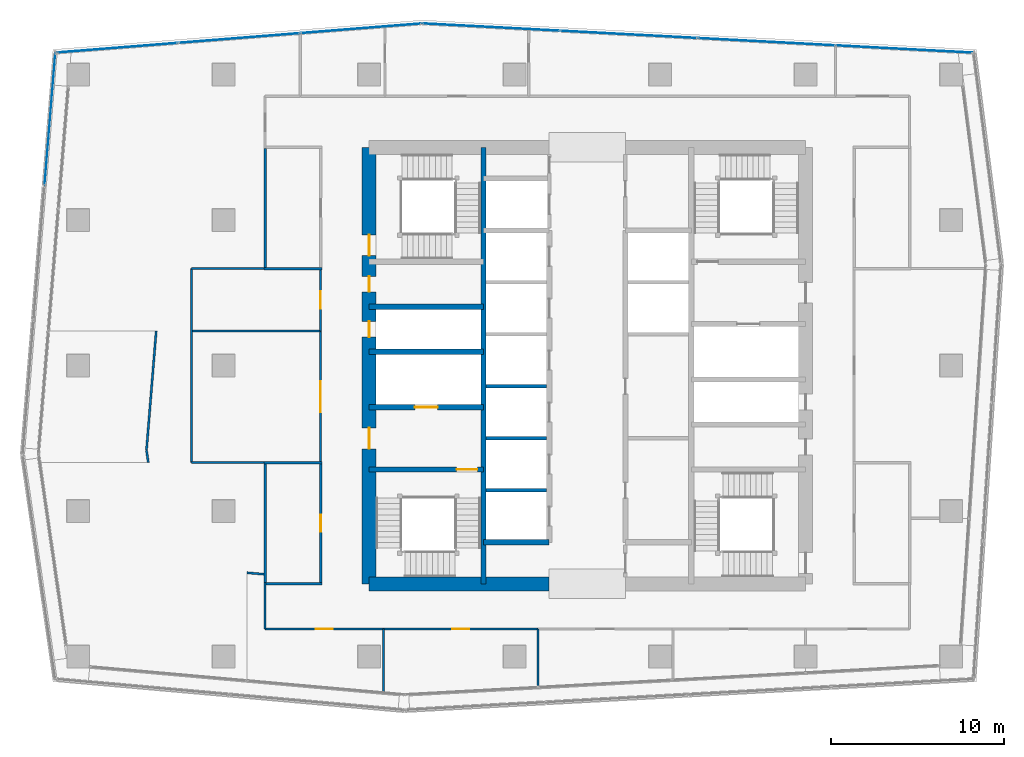
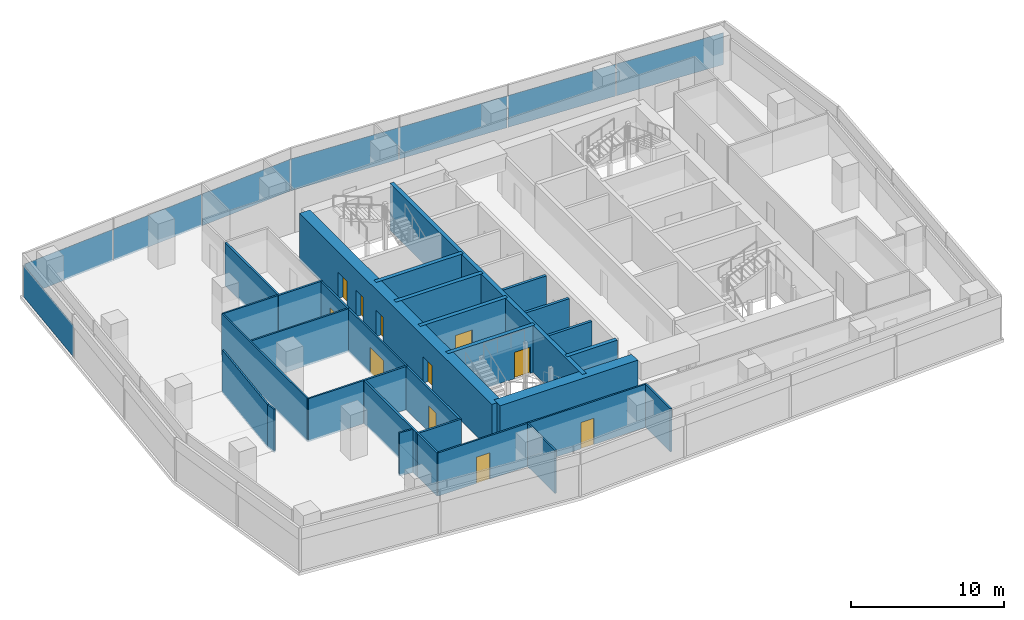
# One storey, part 22 of 30: 31 walls, 11 doors, 8 plates, 11 openings, 3 elements without a shape of their own.
"""IFC4 building model written with IfcOpenShell, lengths in metres."""

import ifcopenshell
import ifcopenshell.guid

model = None  # the IFC model being written
_history = None  # IfcOwnerHistory: only IFC2X3 demands one
_inside = {}  # id of a spatial element -> (the spatial element, [elements in it])
_under = {}  # id of a project, library or spatial element -> (it, [spatial elements below it])
_declared = {}  # id of a project -> (the project, [libraries it declares])
_typed = {}  # id of a type object -> (the type object, [elements of that type])
_made_of = {}  # id of a material, layer set ... -> (it, [elements and type objects made of it])


def new_model(schema):
    """Start an empty IFC model of exactly this schema.

    Asked for "IFC4X3", IfcOpenShell would pick the latest addendum, in which some entities
    have other attributes; the version numbers below select the first issue.
    IFC2X3 requires an IfcOwnerHistory on every rooted entity: one is made here for all.
    """
    global model, _history
    if schema == "IFC4X3":
        model = ifcopenshell.file(schema_version=(4, 3, 0, 0))
    else:
        model = ifcopenshell.file(schema=schema)
    _inside.clear()
    _under.clear()
    _declared.clear()
    _typed.clear()
    _made_of.clear()
    _history = None
    if model.schema == "IFC2X3":
        org = make("IfcOrganization", Name="unknown")
        user = make(
            "IfcPersonAndOrganization",
            ThePerson=make("IfcPerson", FamilyName="unknown"),
            TheOrganization=org,
        )
        app = make(
            "IfcApplication",
            ApplicationDeveloper=org,
            Version="unknown",
            ApplicationFullName="unknown",
            ApplicationIdentifier="unknown",
        )
        _history = make(
            "IfcOwnerHistory",
            OwningUser=user,
            OwningApplication=app,
            ChangeAction="ADDED",
            CreationDate=0,
        )
    return model


def make(cls, **values):
    """One entity of the class cls with the attributes given. An attribute that is None is left unset."""
    return model.create_entity(
        cls, **{name: value for name, value in values.items() if value is not None}
    )


def rooted(cls, **values):
    """An entity with a GlobalId (a new one), such as an element, a storey or a relation."""
    return make(cls, GlobalId=ifcopenshell.guid.new(), OwnerHistory=_history, **values)


def si_unit(unit_type, name, prefix=None):
    """IfcSIUnit, for example si_unit("LENGTHUNIT", "METRE", prefix="MILLI")."""
    return make("IfcSIUnit", UnitType=unit_type, Prefix=prefix, Name=name)


def assignment(units):
    """IfcUnitAssignment: the units of a project."""
    return None if units is None else make("IfcUnitAssignment", Units=units)


def point(xyz):
    """IfcCartesianPoint."""
    return None if xyz is None else make("IfcCartesianPoint", Coordinates=xyz)


def direction(xyz):
    """IfcDirection."""
    return None if xyz is None else make("IfcDirection", DirectionRatios=xyz)


def frame(location, z_axis=None, x_axis=None):
    """IfcAxis2Placement3D, a coordinate frame: its origin and axes. An axis left out is left unset."""
    return make(
        "IfcAxis2Placement3D",
        Location=point(location),
        Axis=direction(z_axis),
        RefDirection=direction(x_axis),
    )


def frame_2d(location, x_axis=None):
    """IfcAxis2Placement2D, a coordinate frame in the plane: its origin and x axis."""
    return make(
        "IfcAxis2Placement2D", Location=point(location), RefDirection=direction(x_axis)
    )


def origin():
    """The frame at (0, 0, 0) with its axes left unset."""
    return frame((0.0, 0.0, 0.0))


def origin_2d():
    """The frame at (0, 0) in the plane with its x axis left unset."""
    return frame_2d((0.0, 0.0))


def place(relative_to, where):
    """IfcLocalPlacement: puts the frame where relative to a parent placement (None: the world)."""
    return make(
        "IfcLocalPlacement", PlacementRelTo=relative_to, RelativePlacement=where
    )


def context(
    kind, dimensions, precision=None, world=None, true_north=None, identifier=None
):
    """IfcGeometricRepresentationContext, for example the 3D "Model" context."""
    return make(
        "IfcGeometricRepresentationContext",
        ContextIdentifier=identifier,
        ContextType=kind,
        CoordinateSpaceDimension=dimensions,
        Precision=precision,
        WorldCoordinateSystem=world,
        TrueNorth=true_north,
    )


def subcontext(parent, identifier, kind, view, scale=None):
    """IfcGeometricRepresentationSubContext, for example "Body" below "Model"."""
    return make(
        "IfcGeometricRepresentationSubContext",
        ContextIdentifier=identifier,
        ContextType=kind,
        ParentContext=parent,
        TargetScale=scale,
        TargetView=view,
    )


def project(units=None, contexts=None):
    """IfcProject with its units and contexts."""
    return rooted(
        "IfcProject",
        Name="project",
        RepresentationContexts=contexts,
        UnitsInContext=assignment(units),
    )


def spatial(cls, under=None, at=None, **own):
    """A site, building, storey or space (cls), placed at a placement, below another one or the project."""
    s = rooted(cls, ObjectPlacement=at, **own)
    if under is not None:
        _under.setdefault(under.id(), (under, []))[1].append(s)
    return s


def profile(cls, at=None, kind="AREA", **sizes):
    """A parametric profile (cls). Its sizes go by their IFC names, for example OverallWidth=200.0."""
    return make(cls, ProfileType=kind, Position=at, **sizes)


def rectangle(**sizes):
    """IfcRectangleProfileDef."""
    return profile("IfcRectangleProfileDef", **sizes)


def extrude(swept, where, along, depth):
    """IfcExtrudedAreaSolid: the profile swept, set in the frame where, extruded along a direction by depth."""
    return make(
        "IfcExtrudedAreaSolid",
        SweptArea=swept,
        Position=where,
        ExtrudedDirection=direction(along),
        Depth=depth,
    )


def shape(context_of_items, identifier, shape_type, items):
    """IfcShapeRepresentation: the items that make up one representation, for example the "Body"."""
    return make(
        "IfcShapeRepresentation",
        ContextOfItems=context_of_items,
        RepresentationIdentifier=identifier,
        RepresentationType=shape_type,
        Items=items,
    )


def material(Name=None, Category=None):
    """IfcMaterial."""
    return make("IfcMaterial", Name=Name, Category=Category)


def layer(
    of_material, thickness, ventilated=None, Name=None, Category=None, Priority=None
):
    """IfcMaterialLayer: one layer of a wall or slab, of a material (None: an air gap)."""
    return make(
        "IfcMaterialLayer",
        Material=of_material,
        LayerThickness=thickness,
        IsVentilated=ventilated,
        Name=Name,
        Category=Category,
        Priority=Priority,
    )


def layer_set(layers, Name=None):
    """IfcMaterialLayerSet."""
    return make("IfcMaterialLayerSet", MaterialLayers=layers, LayerSetName=Name)


def made_of(thing, what):
    """Note that an element or type object is made of a material, layer set ...; save() writes the relation."""
    if what is not None:
        _made_of.setdefault(what.id(), (what, []))[1].append(thing)
    return thing


def type_object(cls, material=None, **own):
    """A type object (cls), such as IfcWallType, which elements share."""
    return made_of(rooted(cls, **own), material)


def element(
    cls,
    number,
    at=None,
    inside=None,
    cuts=None,
    type_object=None,
    material=None,
    context=None,
    identifier="Body",
    shape_type=None,
    held_by="IfcProductDefinitionShape",
    body=None,
    shapes=None,
    **own,
):
    """One element of the class cls, such as IfcWall. Its Tag is "e" and its number.

    at: its placement. inside: the storey or other place that contains it. cuts: it is an
    opening in that element (IfcRelVoidsElement). A single representation is given by context,
    identifier, shape_type and body (its items); several are given by shapes. held_by: the class
    of the entity that holds the representations. save() writes the other relations.
    """
    e = rooted(cls, Tag="e%d" % number, ObjectPlacement=at, **own)
    if body is not None:
        shapes = [shape(context, identifier, shape_type, body)]
    if shapes is not None:
        e.Representation = make(held_by, Representations=shapes)
    if inside is not None:
        _inside.setdefault(inside.id(), (inside, []))[1].append(e)
    if cuts is not None:
        rooted(
            "IfcRelVoidsElement", RelatingBuildingElement=cuts, RelatedOpeningElement=e
        )
    if type_object is not None:
        _typed.setdefault(type_object.id(), (type_object, []))[1].append(e)
    return made_of(e, material)


def fill(opening, filler):
    """IfcRelFillsElement: the door or window that sits in an opening."""
    return rooted(
        "IfcRelFillsElement",
        RelatingOpeningElement=opening,
        RelatedBuildingElement=filler,
    )


def aggregate(whole, parts):
    """IfcRelAggregates: a whole, such as a stair, and the parts it consists of."""
    return rooted("IfcRelAggregates", RelatingObject=whole, RelatedObjects=parts)


def save(model, path):
    """Write the relations noted so far, then the file.

    IfcRelAggregates (storeys below a building ...), IfcRelContainedInSpatialStructure (elements
    in a storey), IfcRelDefinesByType, IfcRelAssociatesMaterial and IfcRelDeclares: one each for
    every whole, place, type object, material and project.
    """
    for whole, parts in _under.values():
        aggregate(whole, parts)
    for where, things in _inside.values():
        rooted(
            "IfcRelContainedInSpatialStructure",
            RelatedElements=things,
            RelatingStructure=where,
        )
    for kind, things in _typed.values():
        rooted("IfcRelDefinesByType", RelatedObjects=things, RelatingType=kind)
    for what, things in _made_of.values():
        rooted("IfcRelAssociatesMaterial", RelatedObjects=things, RelatingMaterial=what)
    for by, libraries in _declared.values():
        rooted("IfcRelDeclares", RelatingContext=by, RelatedDefinitions=libraries)
    model.write(path)


model = new_model("IFC4")

# Units and contexts
model_context = context("Model", 3, precision=1e-05, world=origin(), true_north=direction((0.0, 1.0)))
body_context = subcontext(model_context, "Body", "Model", "MODEL_VIEW")
ifc_project = project(units=[si_unit("LENGTHUNIT", "METRE"), si_unit("AREAUNIT", "SQUARE_METRE"), si_unit("VOLUMEUNIT", "CUBIC_METRE"), si_unit("PLANEANGLEUNIT", "RADIAN"), si_unit("MASSUNIT", "GRAM", prefix="KILO")], contexts=[model_context])

# Site, building, storey
site_placement = place(None, origin())
site = spatial("IfcSite", under=ifc_project, at=site_placement, CompositionType="ELEMENT")
building_placement = place(site_placement, origin())
building = spatial("IfcBuilding", under=site, at=building_placement, Name="Rekha Terrace Tower", CompositionType="ELEMENT")
storey_placement = place(building_placement, frame((0.0, 0.0, 287.60009765625)))
storey = spatial("IfcBuildingStorey", under=building, at=storey_placement, Name="L73", CompositionType="ELEMENT", Elevation=287.60009765625)

# Curtain wall, plate
ifc_material_1 = material(Name="Aluminium framing", Category="aluminium")
curtain_wall_type_1 = type_object("IfcCurtainWallType", Name="CW2 double skin outer glazing", PredefinedType="USERDEFINED", material=ifc_material_1)
curtain_wall_1_placement = place(storey_placement, origin())
curtain_wall_1 = element("IfcCurtainWall", 1, at=curtain_wall_1_placement, inside=storey, type_object=curtain_wall_type_1, Name="CW2 double skin outer glazing", ObjectType="DOUBLE SKIN OUTER GLAZING", PredefinedType="USERDEFINED")
ifc_material_2 = material(Name="Toughened single glazing 12", Category="glass")
ifc_layer_1 = layer(ifc_material_2, 0.011962890625)
ifc_layer_set_1 = layer_set([ifc_layer_1], Name="Toughened single glazing 12")
plate_type_1 = type_object("IfcPlateType", Name="CW2 jumbo vision panel, toughened single glazing 12", PredefinedType="CURTAIN_PANEL", material=ifc_layer_set_1)
plate_1_placement = place(storey_placement, frame((6.7822265625, 47.813720703125, 0.0), z_axis=(0.0, 0.0, 1.0), x_axis=(-0.081067906816, -0.996708580521, 0.0)))
plate_1 = element("IfcPlate", 2, at=plate_1_placement, type_object=plate_type_1, Name="CW2 panel 1.1", PredefinedType="CURTAIN_PANEL", context=body_context, shape_type="SweptSolid", body=[
    extrude(rectangle(XDim=7.640869140625, YDim=0.011962890625, at=origin_2d()), origin(), (0.0, 0.0, 1.0), 2.550048828125),
])
aggregate(curtain_wall_1, [plate_1])

# Curtain wall, plates
curtain_wall_type_2 = type_object("IfcCurtainWallType", Name="CW3 north unitised glazing", PredefinedType="USERDEFINED", material=ifc_material_1)
curtain_wall_2_placement = place(storey_placement, origin())
curtain_wall_2 = element("IfcCurtainWall", 3, at=curtain_wall_2_placement, inside=storey, type_object=curtain_wall_type_2, Name="CW3 unitised curtain wall", ObjectType="UNITISED CURTAIN WALL", PredefinedType="USERDEFINED")
ifc_material_3 = material(Name="Double-glazed unit 28", Category="glass")
ifc_layer_2 = layer(ifc_material_3, 0.028076171875)
ifc_layer_set_2 = layer_set([ifc_layer_2], Name="Double-glazed unit 28")
plate_type_2 = type_object("IfcPlateType", Name="CW3 jumbo vision panel, double-glazed unit 28", PredefinedType="CURTAIN_PANEL", material=ifc_layer_set_2)
plate_2_placement = place(storey_placement, frame((56.080322265625, 51.871337890625, 0.0), z_axis=(0.0, 0.0, 1.0), x_axis=(-0.998590089005, 0.053083275524, 0.0)))
plate_2 = element("IfcPlate", 4, at=plate_2_placement, type_object=plate_type_2, Name="CW3 panel 1.1", PredefinedType="CURTAIN_PANEL", context=body_context, shape_type="SweptSolid", body=[
    extrude(rectangle(XDim=7.856201171875, YDim=0.028076171875, at=origin_2d()), origin(), (0.0, 0.0, 1.0), 2.550048828125),
])
plate_3_placement = place(storey_placement, frame((48.14794921875, 52.29296875, 0.0), z_axis=(0.0, 0.0, 1.0), x_axis=(-0.998590089005, 0.053083275524, 0.0)))
plate_3 = element("IfcPlate", 5, at=plate_3_placement, type_object=plate_type_2, Name="CW3 panel 2.1", PredefinedType="CURTAIN_PANEL", context=body_context, shape_type="SweptSolid", body=[
    extrude(rectangle(XDim=7.891357421875, YDim=0.028076171875, at=origin_2d()), origin(), (0.0, 0.0, 1.0), 2.550048828125),
])
plate_4_placement = place(storey_placement, frame((40.19775390625, 52.715576171875, 0.0), z_axis=(0.0, 0.0, 1.0), x_axis=(-0.998590089005, 0.053083275524, 0.0)))
plate_4 = element("IfcPlate", 6, at=plate_4_placement, type_object=plate_type_2, Name="CW3 panel 3.1", PredefinedType="CURTAIN_PANEL", context=body_context, shape_type="SweptSolid", body=[
    extrude(rectangle(XDim=7.891357421875, YDim=0.028076171875, at=origin_2d()), origin(), (0.0, 0.0, 1.0), 2.550048828125),
])
plate_5_placement = place(storey_placement, frame((32.230224609375, 53.13916015625, 0.0), z_axis=(0.0, 0.0, 1.0), x_axis=(-0.998590089005, 0.053083275524, 0.0)))
plate_5 = element("IfcPlate", 7, at=plate_5_placement, type_object=plate_type_2, Name="CW3 panel 4.1", PredefinedType="CURTAIN_PANEL", context=body_context, shape_type="SweptSolid", body=[
    extrude(rectangle(XDim=7.92626953125, YDim=0.028076171875, at=origin_2d()), origin(), (0.0, 0.0, 1.0), 2.550048828125),
])
aggregate(curtain_wall_2, [plate_2, plate_3, plate_4, plate_5])

curtain_wall_3_placement = place(storey_placement, origin())
curtain_wall_3 = element("IfcCurtainWall", 8, at=curtain_wall_3_placement, inside=storey, type_object=curtain_wall_type_2, Name="CW3 unitised curtain wall", ObjectType="UNITISED CURTAIN WALL", PredefinedType="USERDEFINED")
plate_6_placement = place(storey_placement, frame((24.732421875, 53.0673828125, 0.0), z_axis=(0.0, 0.0, 1.0), x_axis=(-0.996836058026, -0.07948505154, 0.0)))
plate_6 = element("IfcPlate", 9, at=plate_6_placement, type_object=plate_type_2, Name="CW3 panel 1.1", PredefinedType="CURTAIN_PANEL", context=body_context, shape_type="SweptSolid", body=[
    extrude(rectangle(XDim=6.963134765625, YDim=0.028076171875, at=origin_2d()), origin(), (0.0, 0.0, 1.0), 2.550048828125),
])
plate_7_placement = place(storey_placement, frame((17.7041015625, 52.5068359375, 0.0), z_axis=(0.0, 0.0, 1.0), x_axis=(-0.996836058026, -0.07948505154, 0.0)))
plate_7 = element("IfcPlate", 10, at=plate_7_placement, type_object=plate_type_2, Name="CW3 panel 2.1", PredefinedType="CURTAIN_PANEL", context=body_context, shape_type="SweptSolid", body=[
    extrude(rectangle(XDim=6.998046875, YDim=0.028076171875, at=origin_2d()), origin(), (0.0, 0.0, 1.0), 2.550048828125),
])
plate_8_placement = place(storey_placement, frame((10.67578125, 51.946533203125, 0.0), z_axis=(0.0, 0.0, 1.0), x_axis=(-0.996836058026, -0.07948505154, 0.0)))
plate_8 = element("IfcPlate", 11, at=plate_8_placement, type_object=plate_type_2, Name="CW3 panel 3.1", PredefinedType="CURTAIN_PANEL", context=body_context, shape_type="SweptSolid", body=[
    extrude(rectangle(XDim=6.963134765625, YDim=0.028076171875, at=origin_2d()), origin(), (0.0, 0.0, 1.0), 2.550048828125),
])
aggregate(curtain_wall_3, [plate_6, plate_7, plate_8])

# Walls
ifc_material_4 = material(Name="Concrete M60", Category="concrete")
ifc_layer_3 = layer(ifc_material_4, 0.300048828125)
ifc_layer_set_3 = layer_set([ifc_layer_3], Name="Concrete M60")
wall_type_1 = type_object("IfcWallType", Name="CI5 300 core internal shear wall", PredefinedType="SHEAR", material=ifc_layer_set_3)
wall_1_placement = place(storey_placement, frame((31.800048828125, 21.0, 0.0), z_axis=(0.0, 0.0, 1.0), x_axis=(0.0, 1.0, 0.0)))
element("IfcWall", 12, at=wall_1_placement, inside=storey, type_object=wall_type_1, Name="Core wall X318 L73", PredefinedType="SHEAR", context=body_context, shape_type="SweptSolid", body=[
    extrude(rectangle(XDim=25.199951171875, YDim=0.300048828125, at=frame_2d((12.60009765625, 0.0))), origin(), (0.0, 0.0, 1.0), 3.75),
])
wall_2_placement = place(storey_placement, frame((31.800048828125, 23.39990234375, 0.0), z_axis=(0.0, 0.0, 1.0), x_axis=(1.0, 0.0, 0.0)))
element("IfcWall", 13, at=wall_2_placement, inside=storey, type_object=wall_type_1, Name="Core wall Y234W L73", PredefinedType="SHEAR", context=body_context, shape_type="SweptSolid", body=[
    extrude(rectangle(XDim=3.800048828125, YDim=0.300048828125, at=frame_2d((1.89990234375, 0.0))), origin(), (0.0, 0.0, 1.0), 3.75),
])

# Wall, opening, door
wall_3_placement = place(storey_placement, frame((25.199951171875, 27.60009765625, 0.0), z_axis=(0.0, 0.0, 1.0), x_axis=(1.0, 0.0, 0.0)))
wall_3 = element("IfcWall", 14, at=wall_3_placement, inside=storey, type_object=wall_type_1, Name="Core wall Y276W L73", PredefinedType="SHEAR", context=body_context, shape_type="SweptSolid", body=[
    extrude(rectangle(XDim=6.60009765625, YDim=0.300048828125, at=frame_2d((3.300048828125, 0.0))), origin(), (0.0, 0.0, 1.0), 3.75),
])
opening_1_placement = place(wall_3_placement, frame((5.050048828125, 0.0, 0.0)))
opening_1 = element("IfcOpeningElement", 15, at=opening_1_placement, cuts=wall_3, Name="Opening D1", PredefinedType="OPENING", context=body_context, shape_type="SweptSolid", body=[
    extrude(rectangle(XDim=1.199951171875, YDim=2.10009765625, at=frame_2d((0.60009765625, 1.050048828125))), frame((0.0, 0.159912109375, 0.0), z_axis=(0.0, -1.0, 0.0), x_axis=(1.0, 0.0, 0.0)), (0.0, 0.0, 1.0), 0.320068359375),
])
ifc_material_5 = material(Name="Steel fire door", Category="steel")
door_type_1 = type_object("IfcDoorType", Name="D1 1200x2100 stair fire door", OperationType="SINGLE_SWING_RIGHT", PredefinedType="DOOR", material=ifc_material_5)
door_1_placement = place(opening_1_placement, origin())
door_1 = element("IfcDoor", 16, at=door_1_placement, inside=storey, type_object=door_type_1, Name="Stair ST1 door L73", OperationType="SINGLE_SWING_RIGHT", OverallHeight=2.10009765625, OverallWidth=1.199951171875, PredefinedType="DOOR", context=body_context, shape_type="SweptSolid", body=[
    extrude(rectangle(XDim=1.199951171875, YDim=2.10009765625, at=frame_2d((0.60009765625, 1.050048828125))), frame((0.0, 0.02490234375, 0.0), z_axis=(0.0, -1.0, 0.0), x_axis=(1.0, 0.0, 0.0)), (0.0, 0.0, 1.0), 0.050048828125),
])
fill(opening_1, door_1)

wall_4_placement = place(storey_placement, frame((25.199951171875, 31.199951171875, 0.0), z_axis=(0.0, 0.0, 1.0), x_axis=(1.0, 0.0, 0.0)))
wall_4 = element("IfcWall", 17, at=wall_4_placement, inside=storey, type_object=wall_type_1, Name="Core wall Y312W L73", PredefinedType="SHEAR", context=body_context, shape_type="SweptSolid", body=[
    extrude(rectangle(XDim=6.60009765625, YDim=0.300048828125, at=frame_2d((3.300048828125, 0.0))), origin(), (0.0, 0.0, 1.0), 3.75),
])
opening_2_placement = place(wall_4_placement, frame((2.64990234375, 0.0, 0.0)))
opening_2 = element("IfcOpeningElement", 18, at=opening_2_placement, cuts=wall_4, Name="Opening LD2", PredefinedType="OPENING", context=body_context, shape_type="SweptSolid", body=[
    extrude(rectangle(XDim=1.300048828125, YDim=2.10009765625, at=frame_2d((0.64990234375, 1.050048828125))), frame((0.0, 0.159912109375, 0.0), z_axis=(0.0, -1.0, 0.0), x_axis=(1.0, 0.0, 0.0)), (0.0, 0.0, 1.0), 0.320068359375),
])
ifc_material_6 = material(Name="Stainless steel sliding landing door", Category="steel")
door_type_2 = type_object("IfcDoorType", Name="LD2 1300x2100 fire lift landing door", OperationType="SLIDING_TO_LEFT", PredefinedType="USERDEFINED", material=ifc_material_6)
door_2_placement = place(opening_2_placement, origin())
door_2 = element("IfcDoor", 19, at=door_2_placement, inside=storey, type_object=door_type_2, Name="Lift FL1 landing door L73", ObjectType="LIFT LANDING DOOR", OperationType="SLIDING_TO_LEFT", OverallHeight=2.10009765625, OverallWidth=1.300048828125, PredefinedType="USERDEFINED", context=body_context, shape_type="SweptSolid", body=[
    extrude(rectangle(XDim=1.300048828125, YDim=2.10009765625, at=frame_2d((0.64990234375, 1.050048828125))), frame((0.0, 0.02490234375, 0.0), z_axis=(0.0, -1.0, 0.0), x_axis=(1.0, 0.0, 0.0)), (0.0, 0.0, 1.0), 0.050048828125),
])
fill(opening_2, door_2)

# Walls
for number, where, z_axis, x_axis, name in (
    (20, (25.199951171875, 34.39990234375, 0.0), (0.0, 0.0, 1.0), (1.0, 0.0, 0.0), "Core wall Y344W L73"),
    (21, (25.199951171875, 37.0, 0.0), (0.0, 0.0, 1.0), (1.0, 0.0, 0.0), "Core wall Y370W L73"),
):
    element("IfcWall", number, at=place(storey_placement, frame(where, z_axis=z_axis, x_axis=x_axis)), inside=storey, type_object=wall_type_1, Name=name, PredefinedType="SHEAR", context=body_context, shape_type="SweptSolid", body=[
        extrude(rectangle(XDim=6.60009765625, YDim=0.300048828125, at=frame_2d((3.300048828125, 0.0))), origin(), (0.0, 0.0, 1.0), 3.75),
    ])
ifc_layer_4 = layer(ifc_material_4, 0.800048828125)
ifc_layer_set_4 = layer_set([ifc_layer_4], Name="Concrete M60")
wall_type_2 = type_object("IfcWallType", Name="SW5 800 core outer shear wall", PredefinedType="SHEAR", material=ifc_layer_set_4)
wall_5_placement = place(storey_placement, frame((25.199951171875, 21.0, 0.0), z_axis=(0.0, 0.0, 1.0), x_axis=(1.0, 0.0, 0.0)))
element("IfcWall", 22, at=wall_5_placement, inside=storey, type_object=wall_type_2, Name="Core wall S1 L73", PredefinedType="SHEAR", context=body_context, shape_type="SweptSolid", body=[
    extrude(rectangle(XDim=10.400146484375, YDim=0.800048828125, at=frame_2d((5.2001953125, 0.0))), origin(), (0.0, 0.0, 1.0), 3.75),
])

# Wall, openings, doors
wall_6_placement = place(storey_placement, frame((25.199951171875, 21.0, 0.0), z_axis=(0.0, 0.0, 1.0), x_axis=(0.0, 1.0, 0.0)))
wall_6 = element("IfcWall", 23, at=wall_6_placement, inside=storey, type_object=wall_type_2, Name="Core wall W L73", PredefinedType="SHEAR", context=body_context, shape_type="SweptSolid", body=[
    extrude(rectangle(XDim=25.199951171875, YDim=0.800048828125, at=frame_2d((12.60009765625, 0.0))), origin(), (0.0, 0.0, 1.0), 3.75),
])
opening_3_placement = place(wall_6_placement, frame((7.800048828125, 0.0, 0.0)))
opening_3 = element("IfcOpeningElement", 24, at=opening_3_placement, cuts=wall_6, Name="Opening D2", PredefinedType="OPENING", context=body_context, shape_type="SweptSolid", body=[
    extrude(rectangle(XDim=1.199951171875, YDim=2.10009765625, at=frame_2d((0.60009765625, 1.050048828125))), frame((0.0, 0.409912109375, 0.0), z_axis=(0.0, -1.0, 0.0), x_axis=(1.0, 0.0, 0.0)), (0.0, 0.0, 1.0), 0.820068359375),
])
opening_4_placement = place(wall_6_placement, frame((14.25, 0.0, 0.0)))
opening_4 = element("IfcOpeningElement", 25, at=opening_4_placement, cuts=wall_6, Name="Opening D5", PredefinedType="OPENING", context=body_context, shape_type="SweptSolid", body=[
    extrude(rectangle(XDim=0.89990234375, YDim=2.10009765625, at=frame_2d((0.449951171875, 1.050048828125))), frame((0.0, 0.409912109375, 0.0), z_axis=(0.0, -1.0, 0.0), x_axis=(1.0, 0.0, 0.0)), (0.0, 0.0, 1.0), 0.820068359375),
])
opening_5_placement = place(wall_6_placement, frame((16.85009765625, 0.0, 0.0)))
opening_5 = element("IfcOpeningElement", 26, at=opening_5_placement, cuts=wall_6, Name="Opening D5", PredefinedType="OPENING", context=body_context, shape_type="SweptSolid", body=[
    extrude(rectangle(XDim=0.89990234375, YDim=2.10009765625, at=frame_2d((0.449951171875, 1.050048828125))), frame((0.0, 0.409912109375, 0.0), z_axis=(0.0, -1.0, 0.0), x_axis=(1.0, 0.0, 0.0)), (0.0, 0.0, 1.0), 0.820068359375),
])
opening_6_placement = place(wall_6_placement, frame((18.949951171875, 0.0, 0.0)))
opening_6 = element("IfcOpeningElement", 27, at=opening_6_placement, cuts=wall_6, Name="Opening D1", PredefinedType="OPENING", context=body_context, shape_type="SweptSolid", body=[
    extrude(rectangle(XDim=1.199951171875, YDim=2.10009765625, at=frame_2d((0.60009765625, 1.050048828125))), frame((0.0, 0.409912109375, 0.0), z_axis=(0.0, -1.0, 0.0), x_axis=(1.0, 0.0, 0.0)), (0.0, 0.0, 1.0), 0.820068359375),
])
door_3_placement = place(opening_6_placement, origin())
door_3 = element("IfcDoor", 28, at=door_3_placement, inside=storey, type_object=door_type_1, Name="Stair ST4 door L73", OperationType="SINGLE_SWING_RIGHT", OverallHeight=2.10009765625, OverallWidth=1.199951171875, PredefinedType="DOOR", context=body_context, shape_type="SweptSolid", body=[
    extrude(rectangle(XDim=1.199951171875, YDim=2.10009765625, at=frame_2d((0.60009765625, 1.050048828125))), frame((0.0, 0.02490234375, 0.0), z_axis=(0.0, -1.0, 0.0), x_axis=(1.0, 0.0, 0.0)), (0.0, 0.0, 1.0), 0.050048828125),
])
fill(opening_6, door_3)
door_type_3 = type_object("IfcDoorType", Name="D2 1200x2100 firefighting lobby door", OperationType="SINGLE_SWING_LEFT", PredefinedType="DOOR", material=ifc_material_5)
door_4_placement = place(opening_3_placement, origin())
door_4 = element("IfcDoor", 29, at=door_4_placement, inside=storey, type_object=door_type_3, Name="Door flb1 L73", OperationType="SINGLE_SWING_LEFT", OverallHeight=2.10009765625, OverallWidth=1.199951171875, PredefinedType="DOOR", context=body_context, shape_type="SweptSolid", body=[
    extrude(rectangle(XDim=1.199951171875, YDim=2.10009765625, at=frame_2d((0.60009765625, 1.050048828125))), frame((0.0, 0.02490234375, 0.0), z_axis=(0.0, -1.0, 0.0), x_axis=(1.0, 0.0, 0.0)), (0.0, 0.0, 1.0), 0.050048828125),
])
fill(opening_3, door_4)
door_type_4 = type_object("IfcDoorType", Name="D5 900x2100 riser access door", OperationType="SINGLE_SWING_LEFT", PredefinedType="DOOR", material=ifc_material_5)
door_5_placement = place(opening_4_placement, origin())
door_5 = element("IfcDoor", 30, at=door_5_placement, inside=storey, type_object=door_type_4, Name="Door rs1 L73", OperationType="SINGLE_SWING_LEFT", OverallHeight=2.10009765625, OverallWidth=0.89990234375, PredefinedType="DOOR", context=body_context, shape_type="SweptSolid", body=[
    extrude(rectangle(XDim=0.89990234375, YDim=2.10009765625, at=frame_2d((0.449951171875, 1.050048828125))), frame((0.0, 0.02490234375, 0.0), z_axis=(0.0, -1.0, 0.0), x_axis=(1.0, 0.0, 0.0)), (0.0, 0.0, 1.0), 0.050048828125),
])
fill(opening_4, door_5)
door_6_placement = place(opening_5_placement, origin())
door_6 = element("IfcDoor", 31, at=door_6_placement, inside=storey, type_object=door_type_4, Name="Door elw L73", OperationType="SINGLE_SWING_LEFT", OverallHeight=2.10009765625, OverallWidth=0.89990234375, PredefinedType="DOOR", context=body_context, shape_type="SweptSolid", body=[
    extrude(rectangle(XDim=0.89990234375, YDim=2.10009765625, at=frame_2d((0.449951171875, 1.050048828125))), frame((0.0, 0.02490234375, 0.0), z_axis=(0.0, -1.0, 0.0), x_axis=(1.0, 0.0, 0.0)), (0.0, 0.0, 1.0), 0.050048828125),
])
fill(opening_5, door_6)

# Walls
ifc_material_7 = material(Name="Concrete block masonry, 1 hour", Category="masonry")
ifc_layer_5 = layer(ifc_material_7, 0.14990234375)
ifc_layer_set_5 = layer_set([ifc_layer_5], Name="Concrete block masonry, 1 hour")
wall_type_3 = type_object("IfcWallType", Name="WP2 150 tenancy partition", PredefinedType="PARTITIONING", material=ifc_layer_set_5)
wall_7_placement = place(storey_placement, frame((19.125, 39.199951171875, 0.0), z_axis=(0.0, 0.0, 1.0), x_axis=(1.0, 0.0, 0.0)))
element("IfcWall", 32, at=wall_7_placement, inside=storey, type_object=wall_type_3, Name="Women's WC wall L73", PredefinedType="PARTITIONING", context=body_context, shape_type="SweptSolid", body=[
    extrude(rectangle(XDim=3.35009765625, YDim=0.14990234375, at=frame_2d((1.675048828125, 0.0))), origin(), (0.0, 0.0, 1.0), 3.449951171875),
])
wall_8_placement = place(storey_placement, frame((19.199951171875, 39.27490234375, 0.0), z_axis=(0.0, 0.0, 1.0), x_axis=(0.0, 1.0, 0.0)))
element("IfcWall", 33, at=wall_8_placement, inside=storey, type_object=wall_type_3, Name="Women's WC wall L73", PredefinedType="PARTITIONING", context=body_context, shape_type="SweptSolid", body=[
    extrude(rectangle(XDim=6.85009765625, YDim=0.14990234375, at=frame_2d((3.425048828125, 0.0))), origin(), (0.0, 0.0, 1.0), 3.449951171875),
])
for number, where, z_axis, x_axis, name in (
    (34, (19.125, 21.0, 0.0), (0.0, 0.0, 1.0), (1.0, 0.0, 0.0), "Men's WC wall L73"),
    (35, (19.125, 28.0, 0.0), (0.0, 0.0, 1.0), (1.0, 0.0, 0.0), "Men's WC wall L73"),
):
    element("IfcWall", number, at=place(storey_placement, frame(where, z_axis=z_axis, x_axis=x_axis)), inside=storey, type_object=wall_type_3, Name=name, PredefinedType="PARTITIONING", context=body_context, shape_type="SweptSolid", body=[
        extrude(rectangle(XDim=3.35009765625, YDim=0.14990234375, at=frame_2d((1.675048828125, 0.0))), origin(), (0.0, 0.0, 1.0), 3.449951171875),
    ])
wall_9_placement = place(storey_placement, frame((19.199951171875, 21.074951171875, 0.0), z_axis=(0.0, 0.0, 1.0), x_axis=(0.0, 1.0, 0.0)))
element("IfcWall", 36, at=wall_9_placement, inside=storey, type_object=wall_type_3, Name="Men's WC wall L73", PredefinedType="PARTITIONING", context=body_context, shape_type="SweptSolid", body=[
    extrude(rectangle(XDim=6.85009765625, YDim=0.14990234375, at=frame_2d((3.425048828125, 0.0))), origin(), (0.0, 0.0, 1.0), 3.449951171875),
])

# Wall, opening, door
wall_10_placement = place(storey_placement, frame((22.39990234375, 21.074951171875, 0.0), z_axis=(0.0, 0.0, 1.0), x_axis=(0.0, 1.0, 0.0)))
wall_10 = element("IfcWall", 37, at=wall_10_placement, inside=storey, type_object=wall_type_3, Name="Men's WC wall L73", PredefinedType="PARTITIONING", context=body_context, shape_type="SweptSolid", body=[
    extrude(rectangle(XDim=6.85009765625, YDim=0.14990234375, at=frame_2d((3.425048828125, 0.0))), origin(), (0.0, 0.0, 1.0), 3.449951171875),
])
opening_7_placement = place(wall_10_placement, frame((2.925048828125, 0.0, 0.0)))
opening_7 = element("IfcOpeningElement", 38, at=opening_7_placement, cuts=wall_10, Name="Opening D3", PredefinedType="OPENING", context=body_context, shape_type="SweptSolid", body=[
    extrude(rectangle(XDim=1.0, YDim=2.10009765625, at=frame_2d((0.5, 1.050048828125))), frame((0.0, 0.0849609375, 0.0), z_axis=(0.0, -1.0, 0.0), x_axis=(1.0, 0.0, 0.0)), (0.0, 0.0, 1.0), 0.169921875),
])
ifc_material_8 = material(Name="Laminated timber fire door", Category="wood")
door_type_5 = type_object("IfcDoorType", Name="D3 1000x2100 WC door", OperationType="SINGLE_SWING_LEFT", PredefinedType="DOOR", material=ifc_material_8)
door_7_placement = place(opening_7_placement, origin())
door_7 = element("IfcDoor", 39, at=door_7_placement, inside=storey, type_object=door_type_5, Name="Door men's wc L73", OperationType="SINGLE_SWING_LEFT", OverallHeight=2.10009765625, OverallWidth=1.0, PredefinedType="DOOR", context=body_context, shape_type="SweptSolid", body=[
    extrude(rectangle(XDim=1.0, YDim=2.10009765625, at=frame_2d((0.5, 1.050048828125))), frame((0.0, 0.02490234375, 0.0), z_axis=(0.0, -1.0, 0.0), x_axis=(1.0, 0.0, 0.0)), (0.0, 0.0, 1.0), 0.050048828125),
])
fill(opening_7, door_7)

# Walls
ifc_material_9 = material(Name="Two layers of fire-rated gypsum board each side on steel studs, acoustic quilt, 1 hour", Category="steel")
ifc_layer_6 = layer(ifc_material_9, 0.125)
ifc_layer_set_6 = layer_set([ifc_layer_6], Name="Two layers of fire-rated gypsum board each side on steel studs, acoustic quilt, 1 hour")
wall_type_4 = type_object("IfcWallType", Name="WP3 125 office partition", PredefinedType="PARTITIONING", material=ifc_layer_set_6)
wall_11_placement = place(storey_placement, frame((34.947998046875, 15.114013671875, 0.0), z_axis=(0.0, 0.0, 1.0), x_axis=(0.0, 1.0, 0.0)))
element("IfcWall", 40, at=wall_11_placement, inside=storey, type_object=wall_type_4, Name="Partition L73-06", PredefinedType="PARTITIONING", context=body_context, shape_type="SweptSolid", body=[
    extrude(rectangle(XDim=3.285888671875, YDim=0.125, at=frame_2d((1.64306640625, 0.0))), origin(), (0.0, 0.0, 1.0), 3.449951171875),
])
wall_12_placement = place(storey_placement, frame((14.949951171875, 39.199951171875, 0.0), z_axis=(0.0, 0.0, 1.0), x_axis=(0.0, -1.0, 0.0)))
element("IfcWall", 41, at=wall_12_placement, inside=storey, type_object=wall_type_4, Name="Partition L73-09", PredefinedType="PARTITIONING", context=body_context, shape_type="SweptSolid", body=[
    extrude(rectangle(XDim=11.199951171875, YDim=0.125, at=frame_2d((5.60009765625, 0.0))), origin(), (0.0, 0.0, 1.0), 3.449951171875),
])
wall_13_placement = place(storey_placement, frame((14.949951171875, 28.0, 0.0), z_axis=(0.0, 0.0, 1.0), x_axis=(1.0, 0.0, 0.0)))
element("IfcWall", 42, at=wall_13_placement, inside=storey, type_object=wall_type_4, Name="Partition L73-09", PredefinedType="PARTITIONING", context=body_context, shape_type="SweptSolid", body=[
    extrude(rectangle(XDim=4.174072265625, YDim=0.125, at=frame_2d((2.0869140625, 0.0))), origin(), (0.0, 0.0, 1.0), 3.449951171875),
])
wall_14_placement = place(storey_placement, frame((19.125, 21.556884765625, 0.0), z_axis=(0.0, 0.0, 1.0), x_axis=(-0.996029022323, 0.089029133943, 0.0)))
element("IfcWall", 43, at=wall_14_placement, inside=storey, type_object=wall_type_4, Name="Partition L73-09", PredefinedType="PARTITIONING", context=body_context, shape_type="SweptSolid", body=[
    extrude(rectangle(XDim=0.97900390625, YDim=0.125, at=frame_2d((0.489501953125, 0.0))), origin(), (0.0, 0.0, 1.0), 3.449951171875),
])
wall_15_placement = place(storey_placement, frame((12.455078125, 28.010986328125, 0.0), z_axis=(0.0, 0.0, 1.0), x_axis=(-0.144195365637, 0.989549239062, 0.0)))
element("IfcWall", 44, at=wall_15_placement, inside=storey, type_object=wall_type_4, Name="Partition L73-09", PredefinedType="PARTITIONING", context=body_context, shape_type="SweptSolid", body=[
    extrude(rectangle(XDim=0.714599609375, YDim=0.125, at=frame_2d((0.357421875, 0.0))), origin(), (0.0, 0.0, 1.0), 3.449951171875),
])
wall_16_placement = place(storey_placement, frame((12.35205078125, 28.718017578125, 0.0), z_axis=(0.0, 0.0, 1.0), x_axis=(0.081064051258, 0.996708894108, 0.0)))
element("IfcWall", 45, at=wall_16_placement, inside=storey, type_object=wall_type_4, Name="Partition L73-09", PredefinedType="PARTITIONING", context=body_context, shape_type="SweptSolid", body=[
    extrude(rectangle(XDim=6.893798828125, YDim=0.125, at=frame_2d((3.44677734375, 0.0))), origin(), (0.0, 0.0, 1.0), 3.449951171875),
])
wall_17_placement = place(storey_placement, frame((19.1240234375, 39.199951171875, 0.0), z_axis=(0.0, 0.0, 1.0), x_axis=(-1.0, 0.0, 0.0)))
element("IfcWall", 46, at=wall_17_placement, inside=storey, type_object=wall_type_4, Name="Partition L73-09", PredefinedType="PARTITIONING", context=body_context, shape_type="SweptSolid", body=[
    extrude(rectangle(XDim=4.174072265625, YDim=0.125, at=frame_2d((2.0869140625, 0.0))), origin(), (0.0, 0.0, 1.0), 3.449951171875),
])

# Wall, opening, door
wall_18_placement = place(storey_placement, frame((19.199951171875, 18.39990234375, 0.0), z_axis=(0.0, 0.0, 1.0), x_axis=(1.0, 0.0, 0.0)))
wall_18 = element("IfcWall", 47, at=wall_18_placement, inside=storey, type_object=wall_type_4, Name="Partition L73-13", PredefinedType="PARTITIONING", context=body_context, shape_type="SweptSolid", body=[
    extrude(rectangle(XDim=6.825927734375, YDim=0.125, at=frame_2d((3.4130859375, 0.0))), origin(), (0.0, 0.0, 1.0), 3.449951171875),
])
opening_8_placement = place(wall_18_placement, frame((2.9130859375, 0.0, 0.0)))
opening_8 = element("IfcOpeningElement", 48, at=opening_8_placement, cuts=wall_18, Name="Opening D9", PredefinedType="OPENING", context=body_context, shape_type="SweptSolid", body=[
    extrude(rectangle(XDim=1.0, YDim=2.10009765625, at=frame_2d((0.5, 1.050048828125))), frame((0.0, 0.072509765625, 0.0), z_axis=(0.0, -1.0, 0.0), x_axis=(1.0, 0.0, 0.0)), (0.0, 0.0, 1.0), 0.14501953125),
])
ifc_material_10 = material(Name="Timber fire door", Category="wood")
door_type_6 = type_object("IfcDoorType", Name="D9 1000x2100 office door", OperationType="SINGLE_SWING_LEFT", PredefinedType="DOOR", material=ifc_material_10)
door_8_placement = place(opening_8_placement, origin())
door_8 = element("IfcDoor", 49, at=door_8_placement, inside=storey, type_object=door_type_6, Name="Door meeting room L73", OperationType="SINGLE_SWING_LEFT", OverallHeight=2.10009765625, OverallWidth=1.0, PredefinedType="DOOR", context=body_context, shape_type="SweptSolid", body=[
    extrude(rectangle(XDim=1.0, YDim=2.10009765625, at=frame_2d((0.5, 1.050048828125))), frame((0.0, 0.02490234375, 0.0), z_axis=(0.0, -1.0, 0.0), x_axis=(1.0, 0.0, 0.0)), (0.0, 0.0, 1.0), 0.050048828125),
])
fill(opening_8, door_8)

# Walls
wall_19_placement = place(storey_placement, frame((26.02587890625, 18.39990234375, 0.0), z_axis=(0.0, 0.0, 1.0), x_axis=(0.0, -1.0, 0.0)))
element("IfcWall", 50, at=wall_19_placement, inside=storey, type_object=wall_type_4, Name="Partition L73-13", PredefinedType="PARTITIONING", context=body_context, shape_type="SweptSolid", body=[
    extrude(rectangle(XDim=3.630859375, YDim=0.125, at=frame_2d((1.8154296875, 0.0))), origin(), (0.0, 0.0, 1.0), 3.449951171875),
])
wall_20_placement = place(storey_placement, frame((19.199951171875, 21.074951171875, 0.0), z_axis=(0.0, 0.0, 1.0), x_axis=(0.0, -1.0, 0.0)))
element("IfcWall", 51, at=wall_20_placement, inside=storey, type_object=wall_type_4, Name="Partition L73-13", PredefinedType="PARTITIONING", context=body_context, shape_type="SweptSolid", body=[
    extrude(rectangle(XDim=2.675048828125, YDim=0.125, at=frame_2d((1.33740234375, 0.0))), origin(), (0.0, 0.0, 1.0), 3.449951171875),
])

# Wall, opening, door
wall_21_placement = place(storey_placement, frame((26.027099609375, 18.39990234375, 0.0), z_axis=(0.0, 0.0, 1.0), x_axis=(1.0, 0.0, 0.0)))
wall_21 = element("IfcWall", 52, at=wall_21_placement, inside=storey, type_object=wall_type_4, Name="Partition L73-14", PredefinedType="PARTITIONING", context=body_context, shape_type="SweptSolid", body=[
    extrude(rectangle(XDim=8.919921875, YDim=0.125, at=frame_2d((4.4599609375, 0.0))), origin(), (0.0, 0.0, 1.0), 3.449951171875),
])
opening_9_placement = place(wall_21_placement, frame((3.9599609375, 0.0, 0.0)))
opening_9 = element("IfcOpeningElement", 53, at=opening_9_placement, cuts=wall_21, Name="Opening D9", PredefinedType="OPENING", context=body_context, shape_type="SweptSolid", body=[
    extrude(rectangle(XDim=1.0, YDim=2.10009765625, at=frame_2d((0.5, 1.050048828125))), frame((0.0, 0.072509765625, 0.0), z_axis=(0.0, -1.0, 0.0), x_axis=(1.0, 0.0, 0.0)), (0.0, 0.0, 1.0), 0.14501953125),
])
door_9_placement = place(opening_9_placement, origin())
door_9 = element("IfcDoor", 54, at=door_9_placement, inside=storey, type_object=door_type_6, Name="Door reference library L73", OperationType="SINGLE_SWING_LEFT", OverallHeight=2.10009765625, OverallWidth=1.0, PredefinedType="DOOR", context=body_context, shape_type="SweptSolid", body=[
    extrude(rectangle(XDim=1.0, YDim=2.10009765625, at=frame_2d((0.5, 1.050048828125))), frame((0.0, 0.02490234375, 0.0), z_axis=(0.0, -1.0, 0.0), x_axis=(1.0, 0.0, 0.0)), (0.0, 0.0, 1.0), 0.050048828125),
])
fill(opening_9, door_9)

# Wall
wall_22_placement = place(storey_placement, frame((15.011962890625, 35.589111328125, 0.0), z_axis=(0.0, 0.0, 1.0), x_axis=(1.0, 0.0, 0.0)))
element("IfcWall", 55, at=wall_22_placement, inside=storey, type_object=wall_type_4, Name="Partition L73-15", PredefinedType="PARTITIONING", context=body_context, shape_type="SweptSolid", body=[
    extrude(rectangle(XDim=7.387939453125, YDim=0.125, at=frame_2d((3.69384765625, 0.0))), origin(), (0.0, 0.0, 1.0), 3.449951171875),
])

# Wall, opening, door
wall_23_placement = place(storey_placement, frame((22.39990234375, 35.589111328125, 0.0), z_axis=(0.0, 0.0, 1.0), x_axis=(0.0, -1.0, 0.0)))
wall_23 = element("IfcWall", 56, at=wall_23_placement, inside=storey, type_object=wall_type_4, Name="Partition L73-15", PredefinedType="PARTITIONING", context=body_context, shape_type="SweptSolid", body=[
    extrude(rectangle(XDim=7.51416015625, YDim=0.125, at=frame_2d((3.757080078125, 0.0))), origin(), (0.0, 0.0, 1.0), 3.449951171875),
])
opening_10_placement = place(wall_23_placement, frame((2.89404296875, 0.0, 0.0)))
opening_10 = element("IfcOpeningElement", 57, at=opening_10_placement, cuts=wall_23, Name="Opening D8", PredefinedType="OPENING", context=body_context, shape_type="SweptSolid", body=[
    extrude(rectangle(XDim=1.800048828125, YDim=2.10009765625, at=frame_2d((0.89990234375, 1.050048828125))), frame((0.0, 0.072509765625, 0.0), z_axis=(0.0, -1.0, 0.0), x_axis=(1.0, 0.0, 0.0)), (0.0, 0.0, 1.0), 0.14501953125),
])
door_type_7 = type_object("IfcDoorType", Name="D8 1800x2100 double leaf door", OperationType="DOUBLE_DOOR_SINGLE_SWING", PredefinedType="DOOR", material=ifc_material_10)
door_10_placement = place(opening_10_placement, origin())
door_10 = element("IfcDoor", 58, at=door_10_placement, inside=storey, type_object=door_type_7, Name="Door reception L73", OperationType="DOUBLE_DOOR_SINGLE_SWING", OverallHeight=2.10009765625, OverallWidth=1.800048828125, PredefinedType="DOOR", context=body_context, shape_type="SweptSolid", body=[
    extrude(rectangle(XDim=1.800048828125, YDim=2.10009765625, at=frame_2d((0.89990234375, 1.050048828125))), frame((0.0, 0.02490234375, 0.0), z_axis=(0.0, -1.0, 0.0), x_axis=(1.0, 0.0, 0.0)), (0.0, 0.0, 1.0), 0.050048828125),
])
fill(opening_10, door_10)

wall_24_placement = place(storey_placement, frame((22.39990234375, 39.125, 0.0), z_axis=(0.0, 0.0, 1.0), x_axis=(0.0, -1.0, 0.0)))
wall_24 = element("IfcWall", 59, at=wall_24_placement, inside=storey, type_object=wall_type_4, Name="Partition L73-16", PredefinedType="PARTITIONING", context=body_context, shape_type="SweptSolid", body=[
    extrude(rectangle(XDim=3.535888671875, YDim=0.125, at=frame_2d((1.76806640625, 0.0))), origin(), (0.0, 0.0, 1.0), 3.449951171875),
])
opening_11_placement = place(wall_24_placement, frame((1.23095703125, 0.0, 0.0)))
opening_11 = element("IfcOpeningElement", 60, at=opening_11_placement, cuts=wall_24, Name="Opening D9", PredefinedType="OPENING", context=body_context, shape_type="SweptSolid", body=[
    extrude(rectangle(XDim=1.0, YDim=2.10009765625, at=frame_2d((0.5, 1.050048828125))), frame((0.0, 0.072509765625, 0.0), z_axis=(0.0, -1.0, 0.0), x_axis=(1.0, 0.0, 0.0)), (0.0, 0.0, 1.0), 0.14501953125),
])
door_11_placement = place(opening_11_placement, origin())
door_11 = element("IfcDoor", 61, at=door_11_placement, inside=storey, type_object=door_type_6, Name="Door print room L73", OperationType="SINGLE_SWING_LEFT", OverallHeight=2.10009765625, OverallWidth=1.0, PredefinedType="DOOR", context=body_context, shape_type="SweptSolid", body=[
    extrude(rectangle(XDim=1.0, YDim=2.10009765625, at=frame_2d((0.5, 1.050048828125))), frame((0.0, 0.02490234375, 0.0), z_axis=(0.0, -1.0, 0.0), x_axis=(1.0, 0.0, 0.0)), (0.0, 0.0, 1.0), 0.050048828125),
])
fill(opening_11, door_11)

# Walls
ifc_material_11 = material(Name="Solid concrete block masonry, 2 hour", Category="masonry")
ifc_layer_7 = layer(ifc_material_11, 0.199951171875)
ifc_layer_set_7 = layer_set([ifc_layer_7], Name="Solid concrete block masonry, 2 hour")
wall_type_5 = type_object("IfcWallType", Name="WS1 200 stair and shaft enclosure", PredefinedType="PARTITIONING", material=ifc_layer_set_7)
for number, where, z_axis, x_axis, name in (
    (62, (31.949951171875, 26.39990234375, 0.0), (0.0, 0.0, 1.0), (1.0, 0.0, 0.0), "Lift shaft divider L73"),
    (63, (31.949951171875, 29.39990234375, 0.0), (0.0, 0.0, 1.0), (1.0, 0.0, 0.0), "Lift shaft divider L73"),
    (64, (31.949951171875, 32.39990234375, 0.0), (0.0, 0.0, 1.0), (1.0, 0.0, 0.0), "Lift shaft divider L73"),
):
    element("IfcWall", number, at=place(storey_placement, frame(where, z_axis=z_axis, x_axis=x_axis)), inside=storey, type_object=wall_type_5, Name=name, PredefinedType="PARTITIONING", context=body_context, shape_type="SweptSolid", body=[
        extrude(rectangle(XDim=3.5, YDim=0.199951171875, at=frame_2d((1.75, 0.0))), origin(), (0.0, 0.0, 1.0), 3.449951171875),
    ])

save(model, "model.ifc")
